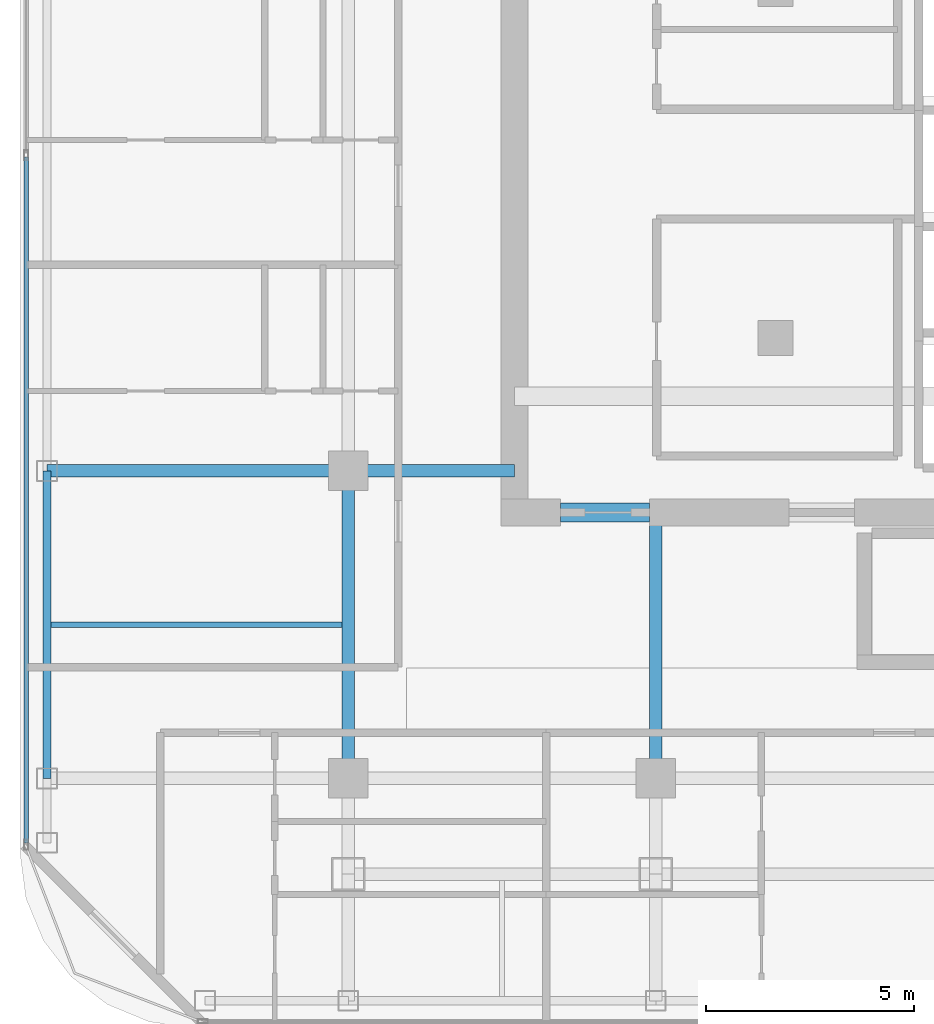
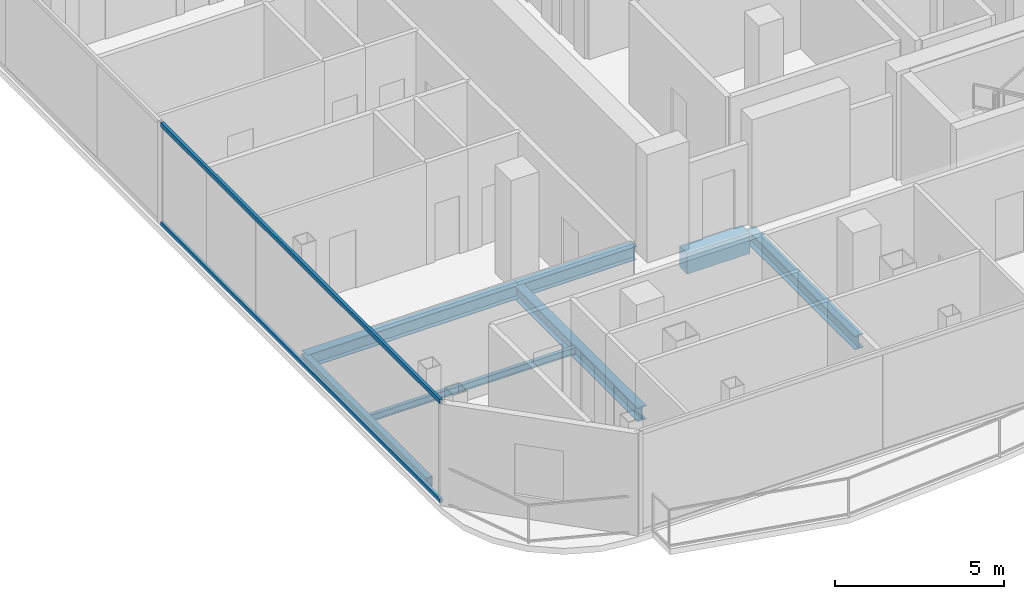
# One storey, part 3 of 23: 7 beams, 2 members, 1 element without a shape of its own.
"""IFC4 building model written with IfcOpenShell, lengths in metres."""

from ifc_helpers import new_model, si_unit, direction, frame, origin, origin_2d, place, context, subcontext, project, spatial, rectangle, hollow_rectangle, i_section, extrude, material, layer, layer_set, material_profile, profile_set, type_object, element, aggregate, save


model = new_model("IFC4")

# Units and contexts
model_context = context("Model", 3, precision=1e-05, world=origin(), true_north=direction((0.0, 1.0)))
body_context = subcontext(model_context, "Body", "Model", "MODEL_VIEW")
ifc_project = project(units=[si_unit("LENGTHUNIT", "METRE"), si_unit("AREAUNIT", "SQUARE_METRE"), si_unit("VOLUMEUNIT", "CUBIC_METRE"), si_unit("PLANEANGLEUNIT", "RADIAN"), si_unit("MASSUNIT", "GRAM", prefix="KILO")], contexts=[model_context])

# Site, building, storey
site_placement = place(None, origin())
site = spatial("IfcSite", under=ifc_project, at=site_placement, CompositionType="ELEMENT")
building_placement = place(site_placement, origin())
building = spatial("IfcBuilding", under=site, at=building_placement, Name="Khorvyn Point Tower", CompositionType="ELEMENT")
storey_placement = place(building_placement, frame((0.0, 0.0, 293.699951171875)))
storey = spatial("IfcBuildingStorey", under=building, at=storey_placement, Name="L72", CompositionType="ELEMENT", Elevation=293.699951171875)

# Curtain wall, members
ifc_material_1 = material(Name="Anodised aluminium 6063-T6 and laminated Low-E glass", Category="aluminium")
ifc_layer = layer(ifc_material_1, 0.18994140625)
ifc_layer_set = layer_set([ifc_layer], Name="Stick-Built High-Wind Curtain Wall CW-SYS-04")
curtain_wall_type = type_object("IfcCurtainWallType", Name="Stick-Built High-Wind Curtain Wall CW-SYS-04", PredefinedType="NOTDEFINED", material=ifc_layer_set)
curtain_wall_placement = place(storey_placement, origin())
curtain_wall = element("IfcCurtainWall", 1, at=curtain_wall_placement, inside=storey, type_object=curtain_wall_type, Name="Curtain Wall", PredefinedType="NOTDEFINED")
ifc_material_2 = material(Name="Anodised aluminium 6063-T6", Category="aluminium")
ifc_material_profile_1 = material_profile(ifc_material_2, hollow_rectangle(XDim=0.10009765625, YDim=0.159912109375, WallThickness=0.00439453125, at=origin_2d()))
ifc_profile_set_1 = profile_set([ifc_material_profile_1], Name="Anodised aluminium 6063-T6 ALU-TRN-100x160")
member_type = type_object("IfcMemberType", Name="Anodised Aluminium 6063-T6 Transom ALU-TRN-100x160", PredefinedType="USERDEFINED", material=ifc_profile_set_1)
member_1_placement = place(storey_placement, frame((-22.550048828125, -16.35009765625, 0.050048828125), z_axis=(0.0, 1.0, 0.0), x_axis=(-1.0, 0.0, 0.0)))
member_1 = element("IfcMember", 2, at=member_1_placement, type_object=member_type, Name="Transom", ObjectType="TRANSOM", PredefinedType="USERDEFINED", context=body_context, shape_type="SweptSolid", body=[
    extrude(hollow_rectangle(XDim=0.10009765625, YDim=0.159912109375, WallThickness=0.00439453125, at=origin_2d()), origin(), (0.0, 0.0, 1.0), 16.5),
])
member_2_placement = place(storey_placement, frame((-22.550048828125, -16.35009765625, 3.630126953125), z_axis=(0.0, 1.0, 0.0), x_axis=(-1.0, 0.0, 0.0)))
member_2 = element("IfcMember", 3, at=member_2_placement, type_object=member_type, Name="Transom", ObjectType="TRANSOM", PredefinedType="USERDEFINED", context=body_context, shape_type="SweptSolid", body=[
    extrude(hollow_rectangle(XDim=0.10009765625, YDim=0.159912109375, WallThickness=0.00439453125, at=origin_2d()), origin(), (0.0, 0.0, 1.0), 16.5),
])
aggregate(curtain_wall, [member_1, member_2])

# Beams
ifc_material_3 = material(Name="Concrete C40/50", Category="concrete")
ifc_material_profile_2 = material_profile(ifc_material_3, rectangle(XDim=0.449951171875, YDim=0.75, at=origin_2d()))
ifc_profile_set_2 = profile_set([ifc_material_profile_2], Name="Concrete C40/50 RC450x750")
beam_type_1 = type_object("IfcBeamType", Name="Concrete C40/50 Beam RC450x750", PredefinedType="BEAM", material=ifc_profile_set_2)
beam_1_placement = place(storey_placement, frame((-9.699951171875, -8.39990234375, -0.594970703125), z_axis=(1.0, 0.0, 0.0), x_axis=(0.0, 1.0, 0.0)))
element("IfcBeam", 4, at=beam_1_placement, inside=storey, type_object=beam_type_1, Name="L72 Core Southwest Portal Coupling Beam", PredefinedType="BEAM", context=body_context, shape_type="SweptSolid", body=[
    extrude(rectangle(XDim=0.449951171875, YDim=0.75, at=origin_2d()), origin(), (0.0, 0.0, 1.0), 2.14990234375),
])
ifc_material_4 = material(Name="Steel S355", Category="steel")
ifc_material_profile_3 = material_profile(ifc_material_4, i_section(OverallWidth=0.125, OverallDepth=0.25, WebThickness=0.006103515625, FlangeThickness=0.009033203125, at=origin_2d()))
ifc_profile_set_3 = profile_set([ifc_material_profile_3], Name="Steel S355 H250x125x6x9")
beam_type_2 = type_object("IfcBeamType", Name="Steel S355 Joist H250x125x6x9", PredefinedType="JOIST", material=ifc_profile_set_3)
beam_2_placement = place(storey_placement, frame((-21.949951171875, -11.10009765625, -0.344970703125), z_axis=(1.0, 0.0, 0.0), x_axis=(0.0, 1.0, 0.0)))
element("IfcBeam", 5, at=beam_2_placement, inside=storey, type_object=beam_type_2, Name="Beam", PredefinedType="JOIST", context=body_context, shape_type="SweptSolid", body=[
    extrude(i_section(OverallWidth=0.125, OverallDepth=0.25, WebThickness=0.006103515625, FlangeThickness=0.009033203125, at=origin_2d()), origin(), (0.0, 0.0, 1.0), 7.0),
])
ifc_material_profile_4 = material_profile(ifc_material_4, i_section(OverallWidth=0.300048828125, OverallDepth=0.488037109375, WebThickness=0.010986328125, FlangeThickness=0.01806640625, at=origin_2d()))
ifc_profile_set_4 = profile_set([ifc_material_profile_4], Name="Steel S355 H488x300x11x18")
beam_type_3 = type_object("IfcBeamType", Name="Steel S355 Spandrel H488x300x11x18", PredefinedType="SPANDREL", material=ifc_profile_set_4)
beam_3_placement = place(storey_placement, frame((-22.050048828125, -7.39990234375, -0.4638671875), z_axis=(1.0, 0.0, 0.0), x_axis=(0.0, 1.0, 0.0)))
element("IfcBeam", 6, at=beam_3_placement, inside=storey, type_object=beam_type_3, Name="Beam", PredefinedType="SPANDREL", context=body_context, shape_type="SweptSolid", body=[
    extrude(i_section(OverallWidth=0.300048828125, OverallDepth=0.488037109375, WebThickness=0.010986328125, FlangeThickness=0.01806640625, at=origin_2d()), origin(), (0.0, 0.0, 1.0), 7.25),
])
beam_4_placement = place(storey_placement, frame((-14.800048828125, -7.39990234375, -0.4638671875), z_axis=(1.0, 0.0, 0.0), x_axis=(0.0, 1.0, 0.0)))
element("IfcBeam", 7, at=beam_4_placement, inside=storey, type_object=beam_type_3, Name="Beam", PredefinedType="SPANDREL", context=body_context, shape_type="SweptSolid", body=[
    extrude(i_section(OverallWidth=0.300048828125, OverallDepth=0.488037109375, WebThickness=0.010986328125, FlangeThickness=0.01806640625, at=origin_2d()), origin(), (0.0, 0.0, 1.0), 4.0),
])
beam_5_placement = place(storey_placement, frame((-14.800048828125, -14.800048828125, -0.4638671875), z_axis=(0.0, 1.0, 0.0), x_axis=(-1.0, 0.0, 0.0)))
element("IfcBeam", 8, at=beam_5_placement, inside=storey, type_object=beam_type_3, Name="Beam", PredefinedType="SPANDREL", context=body_context, shape_type="SweptSolid", body=[
    extrude(i_section(OverallWidth=0.300048828125, OverallDepth=0.488037109375, WebThickness=0.010986328125, FlangeThickness=0.01806640625, at=origin_2d()), origin(), (0.0, 0.0, 1.0), 7.400146484375),
])
beam_6_placement = place(storey_placement, frame((-7.39990234375, -14.800048828125, -0.4638671875), z_axis=(0.0, 1.0, 0.0), x_axis=(-1.0, 0.0, 0.0)))
element("IfcBeam", 9, at=beam_6_placement, inside=storey, type_object=beam_type_3, Name="Beam", PredefinedType="SPANDREL", context=body_context, shape_type="SweptSolid", body=[
    extrude(i_section(OverallWidth=0.300048828125, OverallDepth=0.488037109375, WebThickness=0.010986328125, FlangeThickness=0.01806640625, at=origin_2d()), origin(), (0.0, 0.0, 1.0), 6.400146484375),
])
ifc_material_profile_5 = material_profile(ifc_material_4, hollow_rectangle(XDim=0.199951171875, YDim=0.35009765625, WallThickness=0.013916015625, at=origin_2d()))
ifc_profile_set_5 = profile_set([ifc_material_profile_5], Name="Steel S355 RHS350x200x14")
beam_type_4 = type_object("IfcBeamType", Name="Steel S355 Spandrel RHS350x200x14", PredefinedType="SPANDREL", material=ifc_profile_set_5)
beam_7_placement = place(storey_placement, frame((-22.050048828125, -14.800048828125, -0.39501953125), z_axis=(0.0, 1.0, 0.0), x_axis=(-1.0, 0.0, 0.0)))
element("IfcBeam", 10, at=beam_7_placement, inside=storey, type_object=beam_type_4, Name="Beam", PredefinedType="SPANDREL", context=body_context, shape_type="SweptSolid", body=[
    extrude(hollow_rectangle(XDim=0.199951171875, YDim=0.35009765625, WallThickness=0.013916015625, at=origin_2d()), origin(), (0.0, 0.0, 1.0), 7.400146484375),
])

save(model, "model.ifc")
